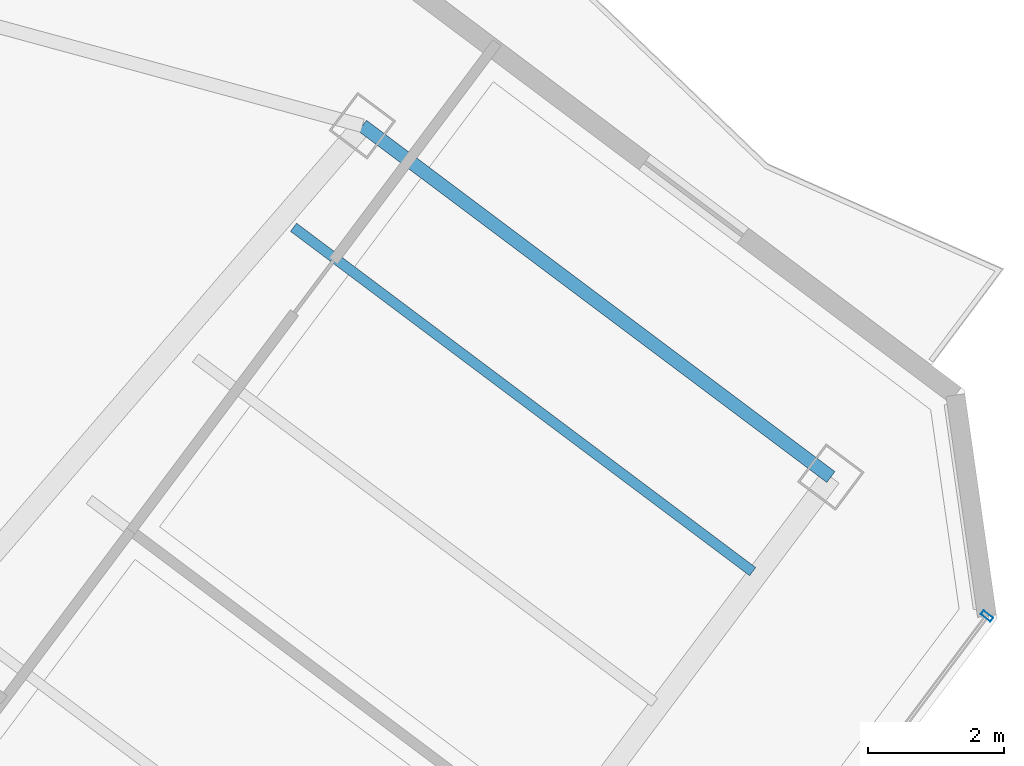
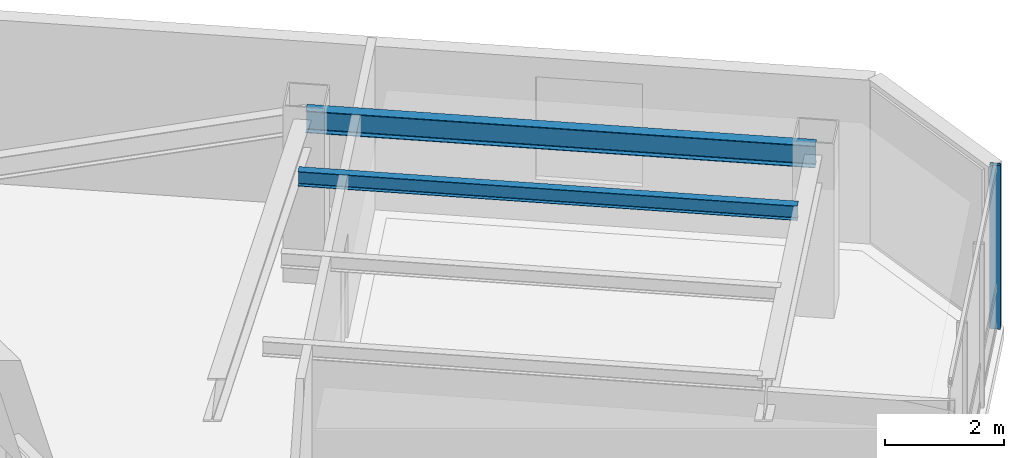
# One storey, part 14 of 26: 2 beams, 1 member, 1 element without a shape of its own.
"""IFC4 building model written with IfcOpenShell, lengths in metres."""

from ifc_helpers import new_model, si_unit, direction, frame, origin, origin_2d, place, context, subcontext, project, spatial, hollow_rectangle, i_section, extrude, material, layer, layer_set, material_profile, profile_set, type_object, element, aggregate, save


model = new_model("IFC4")

# Units and contexts
model_context = context("Model", 3, precision=1e-05, world=origin(), true_north=direction((0.0, 1.0)))
body_context = subcontext(model_context, "Body", "Model", "MODEL_VIEW")
ifc_project = project(units=[si_unit("LENGTHUNIT", "METRE"), si_unit("AREAUNIT", "SQUARE_METRE"), si_unit("VOLUMEUNIT", "CUBIC_METRE"), si_unit("PLANEANGLEUNIT", "RADIAN"), si_unit("MASSUNIT", "GRAM", prefix="KILO")], contexts=[model_context])

# Site, building, storey
site_placement = place(None, origin())
site = spatial("IfcSite", under=ifc_project, at=site_placement, CompositionType="ELEMENT")
building_placement = place(site_placement, origin())
building = spatial("IfcBuilding", under=site, at=building_placement, Name="Hatsunagi Terrace Concourse", CompositionType="ELEMENT")
storey_placement = place(building_placement, frame((0.0, 0.0, 227.550048828125)))
storey = spatial("IfcBuildingStorey", under=building, at=storey_placement, Name="L60", CompositionType="ELEMENT", Elevation=227.550048828125)

# Curtain wall, member
ifc_material_1 = material(Name="Anodised Aluminium Alloy 6063-T5", Category="aluminium")
ifc_layer = layer(ifc_material_1, 0.199951171875)
ifc_layer_set = layer_set([ifc_layer], Name="OfficeZone2_CW04")
curtain_wall_type = type_object("IfcCurtainWallType", Name="OfficeZone2_CW04", PredefinedType="NOTDEFINED", material=ifc_layer_set)
curtain_wall_placement = place(storey_placement, origin())
curtain_wall = element("IfcCurtainWall", 1, at=curtain_wall_placement, inside=storey, type_object=curtain_wall_type, Name="Unitised Curtain Wall CW-04 CW-L60-03", PredefinedType="NOTDEFINED")
ifc_material_2 = material(Name="Anodised Aluminium Alloy 6063-T5", Category="aluminium")
ifc_material_profile_1 = material_profile(ifc_material_2, hollow_rectangle(XDim=0.070068359375, YDim=0.179931640625, WallThickness=0.00390625, at=origin_2d()), Name="ALU-MUL-180x70x4")
ifc_profile_set_1 = profile_set([ifc_material_profile_1], Name="Anodised Aluminium Alloy 6063-T5")
member_type = type_object("IfcMemberType", Name="CurtainWallMullion_180x70", PredefinedType="MULLION", material=ifc_profile_set_1)
member_placement = place(storey_placement, frame((60.693115234375, 25.9580078125, 0.0), z_axis=(0.0, 0.0, 1.0), x_axis=(-0.599969314634, -0.800023013105, 0.0)))
member = element("IfcMember", 2, at=member_placement, type_object=member_type, Name="Curtain Wall Mullion MUL-02", PredefinedType="MULLION", context=body_context, shape_type="SweptSolid", body=[
    extrude(hollow_rectangle(XDim=0.070068359375, YDim=0.179931640625, WallThickness=0.00390625, at=origin_2d()), origin(), (0.0, 0.0, 1.0), 3.349853515625),
])
aggregate(curtain_wall, [member])

# Beams
ifc_material_3 = material(Name="Steel SN490B", Category="steel")
ifc_material_profile_2 = material_profile(ifc_material_3, i_section(OverallWidth=0.14990234375, OverallDepth=0.300048828125, WebThickness=0.006591796875, FlangeThickness=0.009033203125, FilletRadius=0.010986328125, at=origin_2d()), Name="H-300x150x6.5x9")
ifc_profile_set_2 = profile_set([ifc_material_profile_2], Name="Steel SN490B")
beam_type_1 = type_object("IfcBeamType", Name="OfficeJoist_H_300x150", PredefinedType="JOIST", material=ifc_profile_set_2)
beam_1_placement = place(storey_placement, frame((50.508056640625, 31.6689453125, 3.199951171875), z_axis=(0.800003475366, -0.59999536615, 0.0), x_axis=(0.59999536615, 0.800003475366, 0.0)))
element("IfcBeam", 3, at=beam_1_placement, inside=storey, type_object=beam_type_1, Name="Beam J-03 J-L60-SE-2-218", PredefinedType="JOIST", context=body_context, shape_type="SweptSolid", body=[
    extrude(i_section(OverallWidth=0.14990234375, OverallDepth=0.300048828125, WebThickness=0.006591796875, FlangeThickness=0.009033203125, FilletRadius=0.010986328125, at=origin_2d()), origin(), (0.0, 0.0, 1.0), 8.429931640625),
])
ifc_material_4 = material(Name="Steel SN490B", Category="steel")
ifc_material_profile_3 = material_profile(ifc_material_4, i_section(OverallWidth=0.199951171875, OverallDepth=0.449951171875, WebThickness=0.009033203125, FlangeThickness=0.013916015625, FilletRadius=0.01611328125, at=origin_2d()), Name="H-450x200x9x14")
ifc_profile_set_3 = profile_set([ifc_material_profile_3], Name="Steel SN490B")
beam_type_2 = type_object("IfcBeamType", Name="PerimeterSpandrel_H_450x200", PredefinedType="SPANDREL", material=ifc_profile_set_3)
beam_2_placement = place(storey_placement, frame((51.52001953125, 33.159912109375, 3.125), z_axis=(0.8, -0.6, 0.0), x_axis=(0.6, 0.8, 0.0)))
element("IfcBeam", 4, at=beam_2_placement, inside=storey, type_object=beam_type_2, Name="Beam SP-02 BM-L60-SE-NE2", PredefinedType="SPANDREL", context=body_context, shape_type="SweptSolid", body=[
    extrude(i_section(OverallWidth=0.199951171875, OverallDepth=0.449951171875, WebThickness=0.009033203125, FlangeThickness=0.013916015625, FilletRadius=0.01611328125, at=origin_2d()), origin(), (0.0, 0.0, 1.0), 8.599853515625),
])

save(model, "model.ifc")
